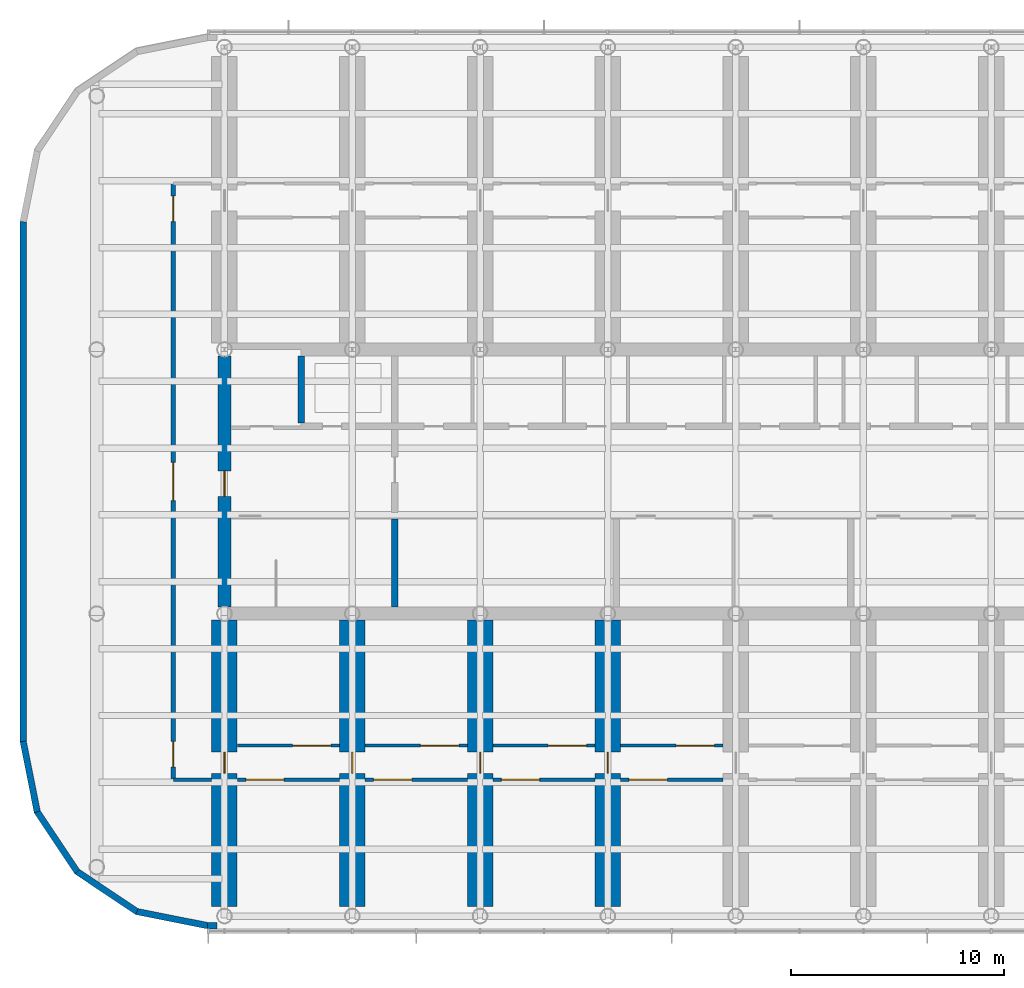
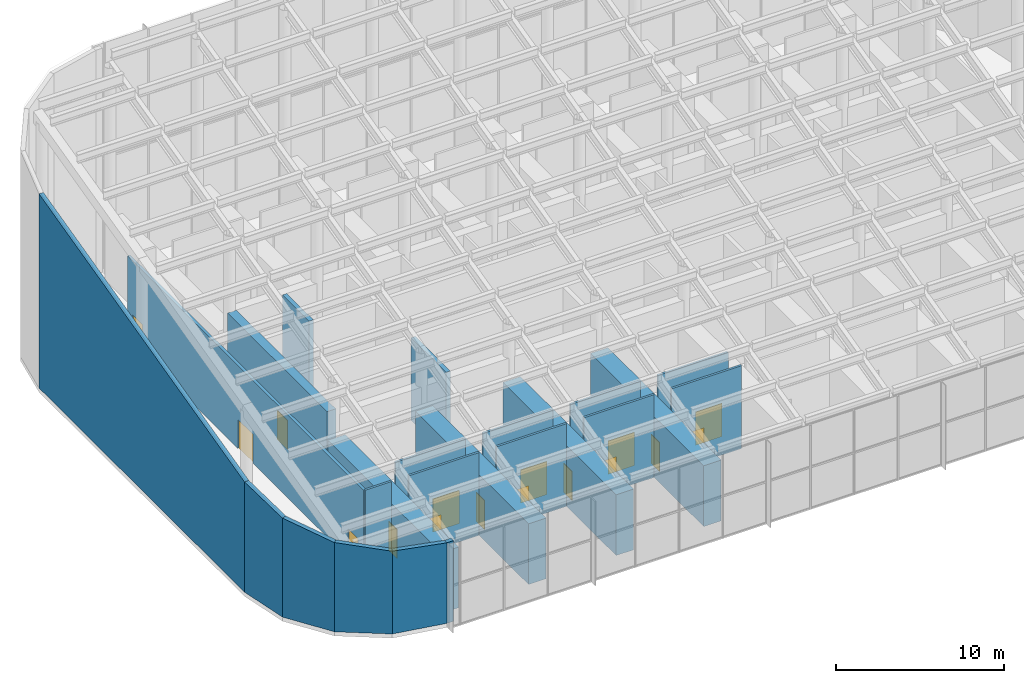
# One storey, part 9 of 14: 23 walls, 16 doors, 16 openings.
"""IFC4 building model written with IfcOpenShell, lengths in metres."""

from ifc_helpers import new_model, si_unit, direction, frame, frame_2d, origin, place, context, subcontext, project, spatial, polyline, rectangle, outline, extrude, clip, halfspace, material, layer, layer_set, type_object, element, fill, save


model = new_model("IFC4")

# Units and contexts
model_context = context("Model", 3, precision=1e-05, world=origin(), true_north=direction((0.0, 1.0)))
body_context = subcontext(model_context, "Body", "Model", "MODEL_VIEW")
ifc_project = project(units=[si_unit("LENGTHUNIT", "METRE"), si_unit("AREAUNIT", "SQUARE_METRE"), si_unit("VOLUMEUNIT", "CUBIC_METRE"), si_unit("PLANEANGLEUNIT", "RADIAN"), si_unit("MASSUNIT", "GRAM", prefix="KILO")], contexts=[model_context])

# Site, building, storey
site_placement = place(None, origin())
site = spatial("IfcSite", under=ifc_project, at=site_placement, CompositionType="ELEMENT")
building_placement = place(site_placement, origin())
building = spatial("IfcBuilding", under=site, at=building_placement, Name="Orbita Commons", CompositionType="ELEMENT")
storey_placement = place(building_placement, frame((0.0, 0.0, 262.300048828125)))
storey = spatial("IfcBuildingStorey", under=building, at=storey_placement, Name="L65", CompositionType="ELEMENT", Elevation=262.300048828125)

# Walls
ifc_material_1 = material(Name="Concrete C50/60", Category="concrete")
ifc_layer_1 = layer(ifc_material_1, 0.300048828125)
ifc_layer_set_1 = layer_set([ifc_layer_1], Name="Concrete C50/60")
wall_type_1 = type_object("IfcWallType", Name="Core inner wall 300 C50/60", PredefinedType="SHEAR", material=ifc_layer_set_1)
wall_1_placement = place(storey_placement, frame((26.0, 26.10009765625, 0.0), z_axis=(0.0, 0.0, 1.0), x_axis=(0.0, 1.0, 0.0)))
element("IfcWall", 1, at=wall_1_placement, inside=storey, type_object=wall_type_1, Name="Stair S1 wall L65", PredefinedType="SHEAR", context=body_context, shape_type="SweptSolid", body=[
    extrude(rectangle(XDim=4.14990234375, YDim=0.300048828125, at=frame_2d((2.074951171875, 0.0))), origin(), (0.0, 0.0, 1.0), 6.0),
])
wall_2_placement = place(storey_placement, frame((21.60009765625, 34.75, 0.0), z_axis=(0.0, 0.0, 1.0), x_axis=(0.0, 1.0, 0.0)))
element("IfcWall", 2, at=wall_2_placement, inside=storey, type_object=wall_type_1, Name="Firefighting lift FL1 shaft wall L65", PredefinedType="SHEAR", context=body_context, shape_type="SweptSolid", body=[
    extrude(rectangle(XDim=3.14990234375, YDim=0.300048828125, at=frame_2d((1.574951171875, 0.0))), origin(), (0.0, 0.0, 1.0), 6.0),
])

# Wall, opening, door
ifc_material_2 = material(Name="Concrete C50/60", Category="concrete")
ifc_layer_2 = layer(ifc_material_2, 0.60009765625)
ifc_layer_set_2 = layer_set([ifc_layer_2], Name="Concrete C50/60")
wall_type_2 = type_object("IfcWallType", Name="Core wall 600 C50/60", PredefinedType="SHEAR", material=ifc_layer_set_2)
wall_3_placement = place(storey_placement, frame((18.0, 26.10009765625, 0.0), z_axis=(0.0, 0.0, 1.0), x_axis=(0.0, 1.0, 0.0)))
wall_3 = element("IfcWall", 3, at=wall_3_placement, inside=storey, type_object=wall_type_2, Name="Core end wall west L65", PredefinedType="SHEAR", context=body_context, shape_type="SweptSolid", body=[
    extrude(rectangle(XDim=11.7998046875, YDim=0.60009765625, at=frame_2d((5.89990234375, 0.0))), origin(), (0.0, 0.0, 1.0), 6.0),
])
opening_1_placement = place(wall_3_placement, frame((5.199951171875, 0.0, 0.0)))
opening_1 = element("IfcOpeningElement", 4, at=opening_1_placement, cuts=wall_3, Name="Opening D01", PredefinedType="OPENING", context=body_context, shape_type="SweptSolid", body=[
    extrude(rectangle(XDim=1.199951171875, YDim=2.10009765625, at=frame_2d((0.60009765625, 1.050048828125))), frame((0.0, 0.31005859375, 0.0), z_axis=(0.0, -1.0, 0.0), x_axis=(1.0, 0.0, 0.0)), (0.0, 0.0, 1.0), 0.6201171875),
])
ifc_material_3 = material(Name="Steel-faced fire door leaf", Category="steel")
door_type_1 = type_object("IfcDoorType", Name="Fire door 90 min 1200x2100", OperationType="SINGLE_SWING_LEFT", PredefinedType="DOOR", material=ifc_material_3)
door_1_placement = place(opening_1_placement, origin())
door_1 = element("IfcDoor", 5, at=door_1_placement, inside=storey, type_object=door_type_1, Name="Firefighting lobby west door", OperationType="SINGLE_SWING_LEFT", OverallHeight=2.10009765625, OverallWidth=1.199951171875, PredefinedType="DOOR", context=body_context, shape_type="SweptSolid", body=[
    extrude(rectangle(XDim=1.199951171875, YDim=2.10009765625, at=frame_2d((0.60009765625, 1.050048828125))), frame((0.0, 0.02490234375, 0.0), z_axis=(0.0, -1.0, 0.0), x_axis=(1.0, 0.0, 0.0)), (0.0, 0.0, 1.0), 0.050048828125),
])
fill(opening_1, door_1)

# Wall, openings, doors
ifc_material_4 = material(Name="Concrete blockwork", Category="masonry")
ifc_layer_3 = layer(ifc_material_4, 0.199951171875)
ifc_layer_set_3 = layer_set([ifc_layer_3], Name="Concrete blockwork")
wall_type_3 = type_object("IfcWallType", Name="Corridor wall 200 blockwork", PredefinedType="SOLIDWALL", material=ifc_layer_set_3)
wall_4_placement = place(storey_placement, frame((15.60009765625, 18.0, 0.0), z_axis=(0.0, 0.0, 1.0), x_axis=(0.0, 1.0, 0.0)))
wall_4 = element("IfcWall", 6, at=wall_4_placement, inside=storey, type_object=wall_type_3, Name="Corridor wall 200 blockwork L65", PredefinedType="SOLIDWALL", context=body_context, shape_type="SweptSolid", body=[
    extrude(rectangle(XDim=28.0, YDim=0.199951171875, at=frame_2d((14.0, 0.0))), origin(), (0.0, 0.0, 1.0), 6.0),
])
opening_2_placement = place(wall_4_placement, frame((13.10009765625, 0.0, 0.0)))
opening_2 = element("IfcOpeningElement", 7, at=opening_2_placement, cuts=wall_4, Name="Opening D19", PredefinedType="OPENING", context=body_context, shape_type="SweptSolid", body=[
    extrude(rectangle(XDim=1.800048828125, YDim=2.10009765625, at=frame_2d((0.89990234375, 1.050048828125))), frame((0.0, 0.10986328125, 0.0), z_axis=(0.0, -1.0, 0.0), x_axis=(1.0, 0.0, 0.0)), (0.0, 0.0, 1.0), 0.219970703125),
])
opening_3_placement = place(wall_4_placement, frame((0.60009765625, 0.0, 0.0)))
opening_3 = element("IfcOpeningElement", 8, at=opening_3_placement, cuts=wall_4, Name="Opening D01", PredefinedType="OPENING", context=body_context, shape_type="SweptSolid", body=[
    extrude(rectangle(XDim=1.199951171875, YDim=2.10009765625, at=frame_2d((0.60009765625, 1.050048828125))), frame((0.0, 0.10986328125, 0.0), z_axis=(0.0, -1.0, 0.0), x_axis=(1.0, 0.0, 0.0)), (0.0, 0.0, 1.0), 0.219970703125),
])
opening_4_placement = place(wall_4_placement, frame((26.199951171875, 0.0, 0.0)))
opening_4 = element("IfcOpeningElement", 9, at=opening_4_placement, cuts=wall_4, Name="Opening D01", PredefinedType="OPENING", context=body_context, shape_type="SweptSolid", body=[
    extrude(rectangle(XDim=1.199951171875, YDim=2.10009765625, at=frame_2d((0.60009765625, 1.050048828125))), frame((0.0, 0.10986328125, 0.0), z_axis=(0.0, -1.0, 0.0), x_axis=(1.0, 0.0, 0.0)), (0.0, 0.0, 1.0), 0.219970703125),
])
ifc_material_5 = material(Name="Steel-faced fire door leaf", Category="steel")
door_type_2 = type_object("IfcDoorType", Name="Double fire door 90 min 1800x2100", OperationType="DOUBLE_DOOR_SINGLE_SWING", PredefinedType="DOOR", material=ifc_material_5)
door_2_placement = place(opening_2_placement, origin())
door_2 = element("IfcDoor", 10, at=door_2_placement, inside=storey, type_object=door_type_2, Name="Maintenance unit garage doors", OperationType="DOUBLE_DOOR_SINGLE_SWING", OverallHeight=2.10009765625, OverallWidth=1.800048828125, PredefinedType="DOOR", context=body_context, shape_type="SweptSolid", body=[
    extrude(rectangle(XDim=1.800048828125, YDim=2.10009765625, at=frame_2d((0.89990234375, 1.050048828125))), frame((0.0, 0.02490234375, 0.0), z_axis=(0.0, -1.0, 0.0), x_axis=(1.0, 0.0, 0.0)), (0.0, 0.0, 1.0), 0.050048828125),
])
fill(opening_2, door_2)
door_3_placement = place(opening_3_placement, origin())
door_3 = element("IfcDoor", 11, at=door_3_placement, inside=storey, type_object=door_type_1, Name="Lift motor and winch room west south door", OperationType="SINGLE_SWING_LEFT", OverallHeight=2.10009765625, OverallWidth=1.199951171875, PredefinedType="DOOR", context=body_context, shape_type="SweptSolid", body=[
    extrude(rectangle(XDim=1.199951171875, YDim=2.10009765625, at=frame_2d((0.60009765625, 1.050048828125))), frame((0.0, 0.02490234375, 0.0), z_axis=(0.0, -1.0, 0.0), x_axis=(1.0, 0.0, 0.0)), (0.0, 0.0, 1.0), 0.050048828125),
])
fill(opening_3, door_3)
door_4_placement = place(opening_4_placement, origin())
door_4 = element("IfcDoor", 12, at=door_4_placement, inside=storey, type_object=door_type_1, Name="Lift motor and winch room west north door", OperationType="SINGLE_SWING_LEFT", OverallHeight=2.10009765625, OverallWidth=1.199951171875, PredefinedType="DOOR", context=body_context, shape_type="SweptSolid", body=[
    extrude(rectangle(XDim=1.199951171875, YDim=2.10009765625, at=frame_2d((0.60009765625, 1.050048828125))), frame((0.0, 0.02490234375, 0.0), z_axis=(0.0, -1.0, 0.0), x_axis=(1.0, 0.0, 0.0)), (0.0, 0.0, 1.0), 0.050048828125),
])
fill(opening_4, door_4)

# Wall, opening, door
ifc_material_6 = material(Name="Concrete C50/60", Category="concrete")
ifc_layer_4 = layer(ifc_material_6, 1.199951171875)
ifc_layer_set_4 = layer_set([ifc_layer_4], Name="Concrete C50/60")
wall_type_4 = type_object("IfcWallType", Name="Outrigger wall 1200 C50/60", PredefinedType="SHEAR", material=ifc_layer_set_4)
wall_5_placement = place(storey_placement, frame((18.0, 12.050048828125, 0.0), z_axis=(0.0, 0.0, 1.0), x_axis=(0.0, 1.0, 0.0)))
wall_5 = element("IfcWall", 13, at=wall_5_placement, inside=storey, type_object=wall_type_4, Name="Outrigger wall 4 south L65", PredefinedType="SHEAR", context=body_context, shape_type="SweptSolid", body=[
    extrude(rectangle(XDim=13.449951171875, YDim=1.199951171875, at=frame_2d((6.72509765625, 0.0))), origin(), (0.0, 0.0, 1.0), 4.39990234375),
])
opening_5_placement = place(wall_5_placement, frame((6.25, 0.0, 0.0)))
opening_5 = element("IfcOpeningElement", 14, at=opening_5_placement, cuts=wall_5, Name="Opening D02", PredefinedType="OPENING", context=body_context, shape_type="SweptSolid", body=[
    extrude(rectangle(XDim=1.0, YDim=2.10009765625, at=frame_2d((0.5, 1.050048828125))), frame((0.0, 0.60986328125, 0.0), z_axis=(0.0, -1.0, 0.0), x_axis=(1.0, 0.0, 0.0)), (0.0, 0.0, 1.0), 1.219970703125),
])
ifc_material_7 = material(Name="Steel-faced fire door leaf", Category="steel")
door_type_3 = type_object("IfcDoorType", Name="Fire door 90 min 1000x2100", OperationType="SINGLE_SWING_LEFT", PredefinedType="DOOR", material=ifc_material_7)
door_5_placement = place(opening_5_placement, origin())
door_5 = element("IfcDoor", 15, at=door_5_placement, inside=storey, type_object=door_type_3, Name="Plant corridor door through outrigger wall", OperationType="SINGLE_SWING_LEFT", OverallHeight=2.10009765625, OverallWidth=1.0, PredefinedType="DOOR", context=body_context, shape_type="SweptSolid", body=[
    extrude(rectangle(XDim=1.0, YDim=2.10009765625, at=frame_2d((0.5, 1.050048828125))), frame((0.0, 0.02490234375, 0.0), z_axis=(0.0, -1.0, 0.0), x_axis=(1.0, 0.0, 0.0)), (0.0, 0.0, 1.0), 0.050048828125),
])
fill(opening_5, door_5)

wall_6_placement = place(storey_placement, frame((24.0, 12.050048828125, 0.0), z_axis=(0.0, 0.0, 1.0), x_axis=(0.0, 1.0, 0.0)))
wall_6 = element("IfcWall", 16, at=wall_6_placement, inside=storey, type_object=wall_type_4, Name="Outrigger wall 5 south L65", PredefinedType="SHEAR", context=body_context, shape_type="SweptSolid", body=[
    extrude(rectangle(XDim=13.449951171875, YDim=1.199951171875, at=frame_2d((6.72509765625, 0.0))), origin(), (0.0, 0.0, 1.0), 4.39990234375),
])
opening_6_placement = place(wall_6_placement, frame((6.25, 0.0, 0.0)))
opening_6 = element("IfcOpeningElement", 17, at=opening_6_placement, cuts=wall_6, Name="Opening D02", PredefinedType="OPENING", context=body_context, shape_type="SweptSolid", body=[
    extrude(rectangle(XDim=1.0, YDim=2.10009765625, at=frame_2d((0.5, 1.050048828125))), frame((0.0, 0.60986328125, 0.0), z_axis=(0.0, -1.0, 0.0), x_axis=(1.0, 0.0, 0.0)), (0.0, 0.0, 1.0), 1.219970703125),
])
door_6_placement = place(opening_6_placement, origin())
door_6 = element("IfcDoor", 18, at=door_6_placement, inside=storey, type_object=door_type_3, Name="Plant corridor door through outrigger wall", OperationType="SINGLE_SWING_LEFT", OverallHeight=2.10009765625, OverallWidth=1.0, PredefinedType="DOOR", context=body_context, shape_type="SweptSolid", body=[
    extrude(rectangle(XDim=1.0, YDim=2.10009765625, at=frame_2d((0.5, 1.050048828125))), frame((0.0, 0.02490234375, 0.0), z_axis=(0.0, -1.0, 0.0), x_axis=(1.0, 0.0, 0.0)), (0.0, 0.0, 1.0), 0.050048828125),
])
fill(opening_6, door_6)

wall_7_placement = place(storey_placement, frame((30.0, 12.050048828125, 0.0), z_axis=(0.0, 0.0, 1.0), x_axis=(0.0, 1.0, 0.0)))
wall_7 = element("IfcWall", 19, at=wall_7_placement, inside=storey, type_object=wall_type_4, Name="Outrigger wall 6 south L65", PredefinedType="SHEAR", context=body_context, shape_type="SweptSolid", body=[
    extrude(rectangle(XDim=13.449951171875, YDim=1.199951171875, at=frame_2d((6.72509765625, 0.0))), origin(), (0.0, 0.0, 1.0), 4.39990234375),
])
opening_7_placement = place(wall_7_placement, frame((6.25, 0.0, 0.0)))
opening_7 = element("IfcOpeningElement", 20, at=opening_7_placement, cuts=wall_7, Name="Opening D02", PredefinedType="OPENING", context=body_context, shape_type="SweptSolid", body=[
    extrude(rectangle(XDim=1.0, YDim=2.10009765625, at=frame_2d((0.5, 1.050048828125))), frame((0.0, 0.60986328125, 0.0), z_axis=(0.0, -1.0, 0.0), x_axis=(1.0, 0.0, 0.0)), (0.0, 0.0, 1.0), 1.219970703125),
])
door_7_placement = place(opening_7_placement, origin())
door_7 = element("IfcDoor", 21, at=door_7_placement, inside=storey, type_object=door_type_3, Name="Plant corridor door through outrigger wall", OperationType="SINGLE_SWING_LEFT", OverallHeight=2.10009765625, OverallWidth=1.0, PredefinedType="DOOR", context=body_context, shape_type="SweptSolid", body=[
    extrude(rectangle(XDim=1.0, YDim=2.10009765625, at=frame_2d((0.5, 1.050048828125))), frame((0.0, 0.02490234375, 0.0), z_axis=(0.0, -1.0, 0.0), x_axis=(1.0, 0.0, 0.0)), (0.0, 0.0, 1.0), 0.050048828125),
])
fill(opening_7, door_7)

wall_8_placement = place(storey_placement, frame((36.0, 12.050048828125, 0.0), z_axis=(0.0, 0.0, 1.0), x_axis=(0.0, 1.0, 0.0)))
wall_8 = element("IfcWall", 22, at=wall_8_placement, inside=storey, type_object=wall_type_4, Name="Outrigger wall 7 south L65", PredefinedType="SHEAR", context=body_context, shape_type="SweptSolid", body=[
    extrude(rectangle(XDim=13.449951171875, YDim=1.199951171875, at=frame_2d((6.72509765625, 0.0))), origin(), (0.0, 0.0, 1.0), 4.39990234375),
])
opening_8_placement = place(wall_8_placement, frame((6.25, 0.0, 0.0)))
opening_8 = element("IfcOpeningElement", 23, at=opening_8_placement, cuts=wall_8, Name="Opening D02", PredefinedType="OPENING", context=body_context, shape_type="SweptSolid", body=[
    extrude(rectangle(XDim=1.0, YDim=2.10009765625, at=frame_2d((0.5, 1.050048828125))), frame((0.0, 0.60986328125, 0.0), z_axis=(0.0, -1.0, 0.0), x_axis=(1.0, 0.0, 0.0)), (0.0, 0.0, 1.0), 1.219970703125),
])
door_8_placement = place(opening_8_placement, origin())
door_8 = element("IfcDoor", 24, at=door_8_placement, inside=storey, type_object=door_type_3, Name="Plant corridor door through outrigger wall", OperationType="SINGLE_SWING_LEFT", OverallHeight=2.10009765625, OverallWidth=1.0, PredefinedType="DOOR", context=body_context, shape_type="SweptSolid", body=[
    extrude(rectangle(XDim=1.0, YDim=2.10009765625, at=frame_2d((0.5, 1.050048828125))), frame((0.0, 0.02490234375, 0.0), z_axis=(0.0, -1.0, 0.0), x_axis=(1.0, 0.0, 0.0)), (0.0, 0.0, 1.0), 0.050048828125),
])
fill(opening_8, door_8)

# Wall
ifc_material_8 = material(Name="Gypsum plasterboard on steel studs", Category="steel")
ifc_layer_5 = layer(ifc_material_8, 0.14990234375)
ifc_layer_set_5 = layer_set([ifc_layer_5], Name="Gypsum plasterboard on steel studs")
wall_type_5 = type_object("IfcWallType", Name="Partition 150 plasterboard", PredefinedType="PARTITIONING", material=ifc_layer_set_5)
wall_9_placement = place(storey_placement, frame((15.60009765625, 18.0, 0.0), z_axis=(0.0, 0.0, 1.0), x_axis=(1.0, 0.0, 0.0)))
element("IfcWall", 25, at=wall_9_placement, inside=storey, type_object=wall_type_5, Name="Partition 150 plasterboard L65", PredefinedType="PARTITIONING", context=body_context, shape_type="SweptSolid", body=[
    extrude(rectangle(XDim=1.7998046875, YDim=0.14990234375, at=frame_2d((0.89990234375, 0.0))), origin(), (0.0, 0.0, 1.0), 6.0),
])

# Wall, opening, door
wall_10_placement = place(storey_placement, frame((18.60009765625, 18.0, 0.0), z_axis=(0.0, 0.0, 1.0), x_axis=(1.0, 0.0, 0.0)))
wall_10 = element("IfcWall", 26, at=wall_10_placement, inside=storey, type_object=wall_type_5, Name="Partition 150 plasterboard L65", PredefinedType="PARTITIONING", context=body_context, shape_type="SweptSolid", body=[
    extrude(rectangle(XDim=4.7998046875, YDim=0.14990234375, at=frame_2d((2.39990234375, 0.0))), origin(), (0.0, 0.0, 1.0), 6.0),
])
opening_9_placement = place(wall_10_placement, frame((0.39990234375, 0.0, 0.0)))
opening_9 = element("IfcOpeningElement", 27, at=opening_9_placement, cuts=wall_10, Name="Opening D14", PredefinedType="OPENING", context=body_context, shape_type="SweptSolid", body=[
    extrude(rectangle(XDim=1.800048828125, YDim=2.39990234375, at=frame_2d((0.89990234375, 1.199951171875))), frame((0.0, 0.0849609375, 0.0), z_axis=(0.0, -1.0, 0.0), x_axis=(1.0, 0.0, 0.0)), (0.0, 0.0, 1.0), 0.169921875),
])
ifc_material_9 = material(Name="Steel-faced fire door leaf", Category="steel")
door_type_4 = type_object("IfcDoorType", Name="Double fire door 90 min 1800x2400", OperationType="DOUBLE_DOOR_SINGLE_SWING", PredefinedType="DOOR", material=ifc_material_9)
door_9_placement = place(opening_9_placement, origin())
door_9 = element("IfcDoor", 28, at=door_9_placement, inside=storey, type_object=door_type_4, Name="Cooling plant room doors", OperationType="DOUBLE_DOOR_SINGLE_SWING", OverallHeight=2.39990234375, OverallWidth=1.800048828125, PredefinedType="DOOR", context=body_context, shape_type="SweptSolid", body=[
    extrude(rectangle(XDim=1.800048828125, YDim=2.39990234375, at=frame_2d((0.89990234375, 1.199951171875))), frame((0.0, 0.02490234375, 0.0), z_axis=(0.0, -1.0, 0.0), x_axis=(1.0, 0.0, 0.0)), (0.0, 0.0, 1.0), 0.050048828125),
])
fill(opening_9, door_9)

wall_11_placement = place(storey_placement, frame((18.60009765625, 19.60009765625, 0.0), z_axis=(0.0, 0.0, 1.0), x_axis=(1.0, 0.0, 0.0)))
wall_11 = element("IfcWall", 29, at=wall_11_placement, inside=storey, type_object=wall_type_5, Name="Partition 150 plasterboard L65", PredefinedType="PARTITIONING", context=body_context, shape_type="SweptSolid", body=[
    extrude(rectangle(XDim=4.7998046875, YDim=0.14990234375, at=frame_2d((2.39990234375, 0.0))), origin(), (0.0, 0.0, 1.0), 6.0),
])
opening_10_placement = place(wall_11_placement, frame((2.60009765625, 0.0, 0.0)))
opening_10 = element("IfcOpeningElement", 30, at=opening_10_placement, cuts=wall_11, Name="Opening D14", PredefinedType="OPENING", context=body_context, shape_type="SweptSolid", body=[
    extrude(rectangle(XDim=1.800048828125, YDim=2.39990234375, at=frame_2d((0.89990234375, 1.199951171875))), frame((0.0, 0.0849609375, 0.0), z_axis=(0.0, -1.0, 0.0), x_axis=(1.0, 0.0, 0.0)), (0.0, 0.0, 1.0), 0.169921875),
])
door_10_placement = place(opening_10_placement, origin())
door_10 = element("IfcDoor", 31, at=door_10_placement, inside=storey, type_object=door_type_4, Name="Chemical dosing room doors", OperationType="DOUBLE_DOOR_SINGLE_SWING", OverallHeight=2.39990234375, OverallWidth=1.800048828125, PredefinedType="DOOR", context=body_context, shape_type="SweptSolid", body=[
    extrude(rectangle(XDim=1.800048828125, YDim=2.39990234375, at=frame_2d((0.89990234375, 1.199951171875))), frame((0.0, 0.02490234375, 0.0), z_axis=(0.0, -1.0, 0.0), x_axis=(1.0, 0.0, 0.0)), (0.0, 0.0, 1.0), 0.050048828125),
])
fill(opening_10, door_10)

wall_12_placement = place(storey_placement, frame((24.60009765625, 18.0, 0.0), z_axis=(0.0, 0.0, 1.0), x_axis=(1.0, 0.0, 0.0)))
wall_12 = element("IfcWall", 32, at=wall_12_placement, inside=storey, type_object=wall_type_5, Name="Partition 150 plasterboard L65", PredefinedType="PARTITIONING", context=body_context, shape_type="SweptSolid", body=[
    extrude(rectangle(XDim=4.7998046875, YDim=0.14990234375, at=frame_2d((2.39990234375, 0.0))), origin(), (0.0, 0.0, 1.0), 6.0),
])
opening_11_placement = place(wall_12_placement, frame((0.39990234375, 0.0, 0.0)))
opening_11 = element("IfcOpeningElement", 33, at=opening_11_placement, cuts=wall_12, Name="Opening D14", PredefinedType="OPENING", context=body_context, shape_type="SweptSolid", body=[
    extrude(rectangle(XDim=1.800048828125, YDim=2.39990234375, at=frame_2d((0.89990234375, 1.199951171875))), frame((0.0, 0.0849609375, 0.0), z_axis=(0.0, -1.0, 0.0), x_axis=(1.0, 0.0, 0.0)), (0.0, 0.0, 1.0), 0.169921875),
])
door_11_placement = place(opening_11_placement, origin())
door_11 = element("IfcDoor", 34, at=door_11_placement, inside=storey, type_object=door_type_4, Name="Water storage tank room doors", OperationType="DOUBLE_DOOR_SINGLE_SWING", OverallHeight=2.39990234375, OverallWidth=1.800048828125, PredefinedType="DOOR", context=body_context, shape_type="SweptSolid", body=[
    extrude(rectangle(XDim=1.800048828125, YDim=2.39990234375, at=frame_2d((0.89990234375, 1.199951171875))), frame((0.0, 0.02490234375, 0.0), z_axis=(0.0, -1.0, 0.0), x_axis=(1.0, 0.0, 0.0)), (0.0, 0.0, 1.0), 0.050048828125),
])
fill(opening_11, door_11)

wall_13_placement = place(storey_placement, frame((24.60009765625, 19.60009765625, 0.0), z_axis=(0.0, 0.0, 1.0), x_axis=(1.0, 0.0, 0.0)))
wall_13 = element("IfcWall", 35, at=wall_13_placement, inside=storey, type_object=wall_type_5, Name="Partition 150 plasterboard L65", PredefinedType="PARTITIONING", context=body_context, shape_type="SweptSolid", body=[
    extrude(rectangle(XDim=4.7998046875, YDim=0.14990234375, at=frame_2d((2.39990234375, 0.0))), origin(), (0.0, 0.0, 1.0), 6.0),
])
opening_12_placement = place(wall_13_placement, frame((2.60009765625, 0.0, 0.0)))
opening_12 = element("IfcOpeningElement", 36, at=opening_12_placement, cuts=wall_13, Name="Opening D14", PredefinedType="OPENING", context=body_context, shape_type="SweptSolid", body=[
    extrude(rectangle(XDim=1.800048828125, YDim=2.39990234375, at=frame_2d((0.89990234375, 1.199951171875))), frame((0.0, 0.0849609375, 0.0), z_axis=(0.0, -1.0, 0.0), x_axis=(1.0, 0.0, 0.0)), (0.0, 0.0, 1.0), 0.169921875),
])
door_12_placement = place(opening_12_placement, origin())
door_12 = element("IfcDoor", 37, at=door_12_placement, inside=storey, type_object=door_type_4, Name="Plant spares store doors", OperationType="DOUBLE_DOOR_SINGLE_SWING", OverallHeight=2.39990234375, OverallWidth=1.800048828125, PredefinedType="DOOR", context=body_context, shape_type="SweptSolid", body=[
    extrude(rectangle(XDim=1.800048828125, YDim=2.39990234375, at=frame_2d((0.89990234375, 1.199951171875))), frame((0.0, 0.02490234375, 0.0), z_axis=(0.0, -1.0, 0.0), x_axis=(1.0, 0.0, 0.0)), (0.0, 0.0, 1.0), 0.050048828125),
])
fill(opening_12, door_12)

wall_14_placement = place(storey_placement, frame((30.60009765625, 18.0, 0.0), z_axis=(0.0, 0.0, 1.0), x_axis=(1.0, 0.0, 0.0)))
wall_14 = element("IfcWall", 38, at=wall_14_placement, inside=storey, type_object=wall_type_5, Name="Partition 150 plasterboard L65", PredefinedType="PARTITIONING", context=body_context, shape_type="SweptSolid", body=[
    extrude(rectangle(XDim=4.7998046875, YDim=0.14990234375, at=frame_2d((2.39990234375, 0.0))), origin(), (0.0, 0.0, 1.0), 6.0),
])
opening_13_placement = place(wall_14_placement, frame((0.39990234375, 0.0, 0.0)))
opening_13 = element("IfcOpeningElement", 39, at=opening_13_placement, cuts=wall_14, Name="Opening D14", PredefinedType="OPENING", context=body_context, shape_type="SweptSolid", body=[
    extrude(rectangle(XDim=1.800048828125, YDim=2.39990234375, at=frame_2d((0.89990234375, 1.199951171875))), frame((0.0, 0.0849609375, 0.0), z_axis=(0.0, -1.0, 0.0), x_axis=(1.0, 0.0, 0.0)), (0.0, 0.0, 1.0), 0.169921875),
])
door_13_placement = place(opening_13_placement, origin())
door_13 = element("IfcDoor", 40, at=door_13_placement, inside=storey, type_object=door_type_4, Name="Air handling plant room doors", OperationType="DOUBLE_DOOR_SINGLE_SWING", OverallHeight=2.39990234375, OverallWidth=1.800048828125, PredefinedType="DOOR", context=body_context, shape_type="SweptSolid", body=[
    extrude(rectangle(XDim=1.800048828125, YDim=2.39990234375, at=frame_2d((0.89990234375, 1.199951171875))), frame((0.0, 0.02490234375, 0.0), z_axis=(0.0, -1.0, 0.0), x_axis=(1.0, 0.0, 0.0)), (0.0, 0.0, 1.0), 0.050048828125),
])
fill(opening_13, door_13)

wall_15_placement = place(storey_placement, frame((30.60009765625, 19.60009765625, 0.0), z_axis=(0.0, 0.0, 1.0), x_axis=(1.0, 0.0, 0.0)))
wall_15 = element("IfcWall", 41, at=wall_15_placement, inside=storey, type_object=wall_type_5, Name="Partition 150 plasterboard L65", PredefinedType="PARTITIONING", context=body_context, shape_type="SweptSolid", body=[
    extrude(rectangle(XDim=4.7998046875, YDim=0.14990234375, at=frame_2d((2.39990234375, 0.0))), origin(), (0.0, 0.0, 1.0), 6.0),
])
opening_14_placement = place(wall_15_placement, frame((2.60009765625, 0.0, 0.0)))
opening_14 = element("IfcOpeningElement", 42, at=opening_14_placement, cuts=wall_15, Name="Opening D14", PredefinedType="OPENING", context=body_context, shape_type="SweptSolid", body=[
    extrude(rectangle(XDim=1.800048828125, YDim=2.39990234375, at=frame_2d((0.89990234375, 1.199951171875))), frame((0.0, 0.0849609375, 0.0), z_axis=(0.0, -1.0, 0.0), x_axis=(1.0, 0.0, 0.0)), (0.0, 0.0, 1.0), 0.169921875),
])
door_14_placement = place(opening_14_placement, origin())
door_14 = element("IfcDoor", 43, at=door_14_placement, inside=storey, type_object=door_type_4, Name="Building controls room doors", OperationType="DOUBLE_DOOR_SINGLE_SWING", OverallHeight=2.39990234375, OverallWidth=1.800048828125, PredefinedType="DOOR", context=body_context, shape_type="SweptSolid", body=[
    extrude(rectangle(XDim=1.800048828125, YDim=2.39990234375, at=frame_2d((0.89990234375, 1.199951171875))), frame((0.0, 0.02490234375, 0.0), z_axis=(0.0, -1.0, 0.0), x_axis=(1.0, 0.0, 0.0)), (0.0, 0.0, 1.0), 0.050048828125),
])
fill(opening_14, door_14)

wall_16_placement = place(storey_placement, frame((36.60009765625, 18.0, 0.0), z_axis=(0.0, 0.0, 1.0), x_axis=(1.0, 0.0, 0.0)))
wall_16 = element("IfcWall", 44, at=wall_16_placement, inside=storey, type_object=wall_type_5, Name="Partition 150 plasterboard L65", PredefinedType="PARTITIONING", context=body_context, shape_type="SweptSolid", body=[
    extrude(rectangle(XDim=4.7998046875, YDim=0.14990234375, at=frame_2d((2.39990234375, 0.0))), origin(), (0.0, 0.0, 1.0), 6.0),
])
opening_15_placement = place(wall_16_placement, frame((0.39990234375, 0.0, 0.0)))
opening_15 = element("IfcOpeningElement", 45, at=opening_15_placement, cuts=wall_16, Name="Opening D14", PredefinedType="OPENING", context=body_context, shape_type="SweptSolid", body=[
    extrude(rectangle(XDim=1.800048828125, YDim=2.39990234375, at=frame_2d((0.89990234375, 1.199951171875))), frame((0.0, 0.0849609375, 0.0), z_axis=(0.0, -1.0, 0.0), x_axis=(1.0, 0.0, 0.0)), (0.0, 0.0, 1.0), 0.169921875),
])
door_15_placement = place(opening_15_placement, origin())
door_15 = element("IfcDoor", 46, at=door_15_placement, inside=storey, type_object=door_type_4, Name="Booster pump room doors", OperationType="DOUBLE_DOOR_SINGLE_SWING", OverallHeight=2.39990234375, OverallWidth=1.800048828125, PredefinedType="DOOR", context=body_context, shape_type="SweptSolid", body=[
    extrude(rectangle(XDim=1.800048828125, YDim=2.39990234375, at=frame_2d((0.89990234375, 1.199951171875))), frame((0.0, 0.02490234375, 0.0), z_axis=(0.0, -1.0, 0.0), x_axis=(1.0, 0.0, 0.0)), (0.0, 0.0, 1.0), 0.050048828125),
])
fill(opening_15, door_15)

wall_17_placement = place(storey_placement, frame((36.60009765625, 19.60009765625, 0.0), z_axis=(0.0, 0.0, 1.0), x_axis=(1.0, 0.0, 0.0)))
wall_17 = element("IfcWall", 47, at=wall_17_placement, inside=storey, type_object=wall_type_5, Name="Partition 150 plasterboard L65", PredefinedType="PARTITIONING", context=body_context, shape_type="SweptSolid", body=[
    extrude(rectangle(XDim=4.7998046875, YDim=0.14990234375, at=frame_2d((2.39990234375, 0.0))), origin(), (0.0, 0.0, 1.0), 6.0),
])
opening_16_placement = place(wall_17_placement, frame((2.60009765625, 0.0, 0.0)))
opening_16 = element("IfcOpeningElement", 48, at=opening_16_placement, cuts=wall_17, Name="Opening D14", PredefinedType="OPENING", context=body_context, shape_type="SweptSolid", body=[
    extrude(rectangle(XDim=1.800048828125, YDim=2.39990234375, at=frame_2d((0.89990234375, 1.199951171875))), frame((0.0, 0.0849609375, 0.0), z_axis=(0.0, -1.0, 0.0), x_axis=(1.0, 0.0, 0.0)), (0.0, 0.0, 1.0), 0.169921875),
])
door_16_placement = place(opening_16_placement, origin())
door_16 = element("IfcDoor", 49, at=door_16_placement, inside=storey, type_object=door_type_4, Name="Pressurisation unit room doors", OperationType="DOUBLE_DOOR_SINGLE_SWING", OverallHeight=2.39990234375, OverallWidth=1.800048828125, PredefinedType="DOOR", context=body_context, shape_type="SweptSolid", body=[
    extrude(rectangle(XDim=1.800048828125, YDim=2.39990234375, at=frame_2d((0.89990234375, 1.199951171875))), frame((0.0, 0.02490234375, 0.0), z_axis=(0.0, -1.0, 0.0), x_axis=(1.0, 0.0, 0.0)), (0.0, 0.0, 1.0), 0.050048828125),
])
fill(opening_16, door_16)

# Walls
ifc_material_10 = material(Name="Precast concrete C40/50, white board-marked finish", Category="concrete")
ifc_layer_6 = layer(ifc_material_10, 0.300048828125)
ifc_layer_set_6 = layer_set([ifc_layer_6], Name="Precast concrete C40/50, white board-marked finish")
wall_type_6 = type_object("IfcWallType", Name="Precast concrete end shield 300", PredefinedType="SOLIDWALL", material=ifc_layer_set_6)
wall_18_placement = place(storey_placement, frame((8.550048828125, 44.199951171875, 0.0), z_axis=(0.0, 0.0, 1.0), x_axis=(0.0, -1.0, 0.0)))
element("IfcWall", 50, at=wall_18_placement, inside=storey, type_object=wall_type_6, Name="Crown end shield W L65", PredefinedType="SOLIDWALL", context=body_context, shape_type="Clipping", body=[
    clip(clip(extrude(outline(polyline([(-0.024658203125, 0.0), (24.424560546875, 0.0), (24.424560546875, 7.988037109375), (-0.024658203125, 14.083740234375), (-0.024658203125, 0.0)])), frame((0.0, 0.14990234375, 0.0), z_axis=(0.0, -1.0, 0.0), x_axis=(1.0, 0.0, 0.0)), (0.0, 0.0, 1.0), 0.300048828125), halfspace(frame((0.0, 0.0, 0.0), z_axis=(-0.995184726707, 0.098017139978, 0.0)), False)), halfspace(frame((24.39990234375, 0.0, 0.0), z_axis=(0.995184726707, 0.098017139978, 0.0)), False)),
])
wall_19_placement = place(storey_placement, frame((8.550048828125, 19.800048828125, 0.0), z_axis=(0.0, 0.0, 1.0), x_axis=(0.19508664885, -0.980786011034, 0.0)))
element("IfcWall", 51, at=wall_19_placement, inside=storey, type_object=wall_type_6, Name="End shield SW chord 1 L65", PredefinedType="SOLIDWALL", context=body_context, shape_type="Clipping", body=[
    clip(clip(extrude(outline(polyline([(-0.039794921875, 0.0), (3.4150390625, 0.0), (3.4150390625, 7.158935546875), (3.375, 7.168701171875), (-0.039794921875, 8.00390625), (-0.039794921875, 0.0)])), frame((0.0, 0.14990234375, 0.0), z_axis=(0.0, -1.0, 0.0), x_axis=(1.0, 0.0, 0.0)), (0.0, 0.0, 1.0), 0.300048828125), halfspace(frame((0.0, 0.0, 0.0), z_axis=(-0.995184765828, 0.098016742771, 0.0)), False)), halfspace(frame((3.375244140625, 0.0, 0.0), z_axis=(0.980785349348, 0.195089975409, 0.0)), False)),
])
wall_20_placement = place(storey_placement, frame((9.20849609375, 16.48974609375, 0.0), z_axis=(0.0, 0.0, 1.0), x_axis=(0.555567969291, -0.831471124873, 0.0)))
element("IfcWall", 52, at=wall_20_placement, inside=storey, type_object=wall_type_6, Name="End shield SW chord 2 L65", PredefinedType="SOLIDWALL", context=body_context, shape_type="Clipping", body=[
    clip(clip(extrude(outline(polyline([(-0.039794921875, 0.0), (3.414794921875, 0.0), (3.414794921875, 6.460693359375), (-0.039794921875, 7.177001953125), (-0.039794921875, 0.0)])), frame((0.0, 0.14990234375, 0.0), z_axis=(0.0, -1.0, 0.0), x_axis=(1.0, 0.0, 0.0)), (0.0, 0.0, 1.0), 0.300048828125), halfspace(frame((0.0, 0.0, 0.0), z_axis=(-0.980785349348, 0.195089975409, 0.0)), False)), halfspace(frame((3.375, 0.0, 0.0), z_axis=(0.980785349348, 0.195089975409, 0.0)), False)),
])
wall_21_placement = place(storey_placement, frame((11.08349609375, 13.68359375, 0.0), z_axis=(0.0, 0.0, 1.0), x_axis=(0.831460037396, -0.555584562613, 0.0)))
element("IfcWall", 53, at=wall_21_placement, inside=storey, type_object=wall_type_6, Name="End shield SW chord 3 L65", PredefinedType="SOLIDWALL", context=body_context, shape_type="Clipping", body=[
    clip(clip(extrude(outline(polyline([(-0.039794921875, 0.0), (3.4150390625, 0.0), (3.4150390625, 5.995849609375), (3.375, 6.00146484375), (-0.039794921875, 6.474609375), (-0.039794921875, 0.0)])), frame((0.0, 0.14990234375, 0.0), z_axis=(0.0, -1.0, 0.0), x_axis=(1.0, 0.0, 0.0)), (0.0, 0.0, 1.0), 0.300048828125), halfspace(frame((0.0, 0.0, 0.0), z_axis=(-0.980785349348, 0.195089975409, 0.0)), False)), halfspace(frame((3.375244140625, 0.0, 0.0), z_axis=(0.980785349348, 0.195089975409, 0.0)), False)),
])
wall_22_placement = place(storey_placement, frame((13.889892578125, 11.808349609375, 0.0), z_axis=(0.0, 0.0, 1.0), x_axis=(0.98078325777, -0.195100490205, 0.0)))
element("IfcWall", 54, at=wall_22_placement, inside=storey, type_object=wall_type_6, Name="End shield SW chord 4 L65", PredefinedType="SOLIDWALL", context=body_context, shape_type="Clipping", body=[
    clip(clip(extrude(outline(polyline([(-0.039794921875, 0.0), (3.414794921875, 0.0), (3.414794921875, 5.83544921875), (-0.039794921875, 6.00341796875), (-0.039794921875, 0.0)])), frame((0.0, 0.14990234375, 0.0), z_axis=(0.0, -1.0, 0.0), x_axis=(1.0, 0.0, 0.0)), (0.0, 0.0, 1.0), 0.300048828125), halfspace(frame((0.0, 0.0, 0.0), z_axis=(-0.980785349348, 0.195089975409, 0.0)), False)), halfspace(frame((3.375, 0.0, 0.0), z_axis=(0.980785349348, 0.195089975409, 0.0)), False)),
])
wall_23_placement = place(storey_placement, frame((17.199951171875, 11.14990234375, 0.0), z_axis=(0.0, 0.0, 1.0), x_axis=(1.0, 0.0, 0.0)))
element("IfcWall", 55, at=wall_23_placement, inside=storey, type_object=wall_type_6, Name="End shield SW closer L65", PredefinedType="SOLIDWALL", context=body_context, shape_type="SweptSolid", body=[
    extrude(outline(polyline([(0.0, 0.0), (0.444580078125, 0.0), (0.444580078125, 5.83740234375), (0.0, 5.83740234375), (0.0, 0.0)])), frame((0.0, 0.14990234375, 0.0), z_axis=(0.0, -1.0, 0.0), x_axis=(1.0, 0.0, 0.0)), (0.0, 0.0, 1.0), 0.300048828125),
])

save(model, "model.ifc")
